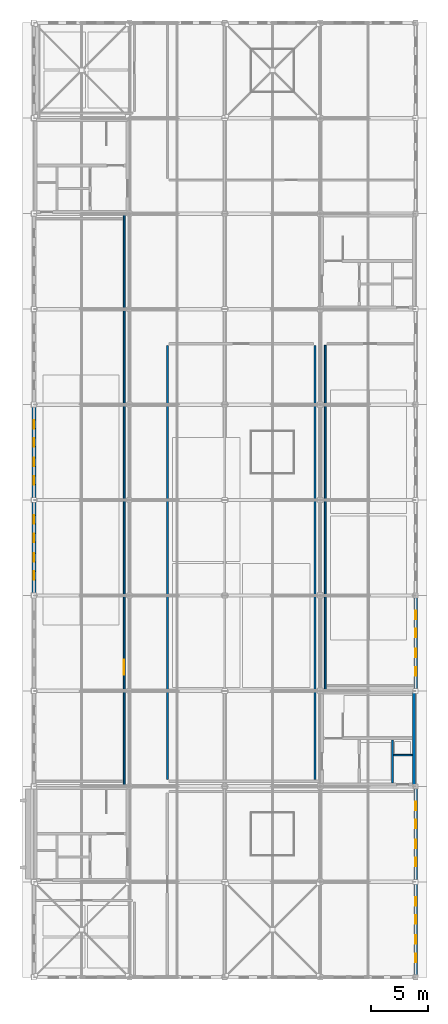
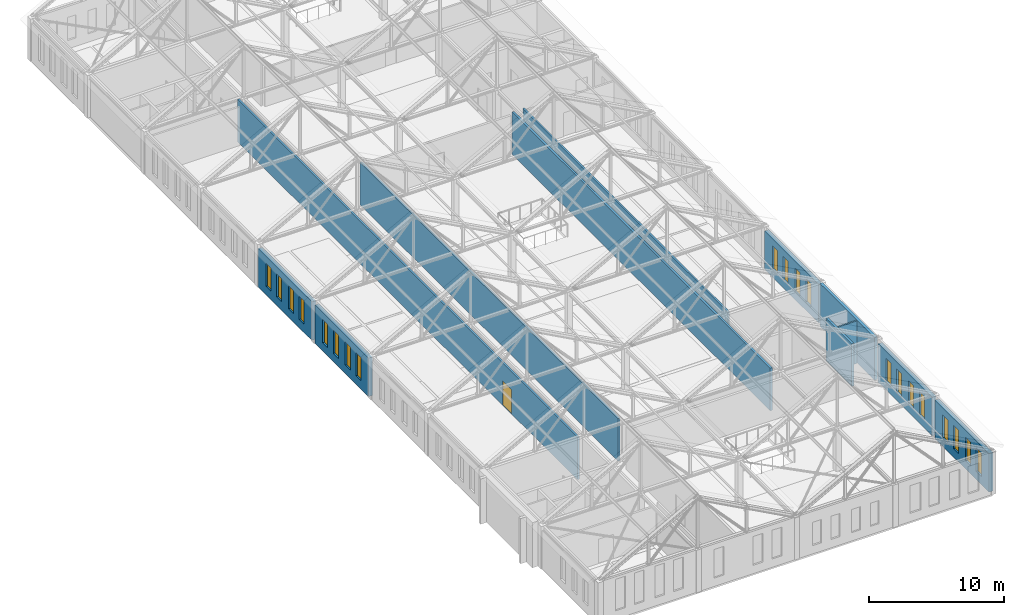
# One storey, part 32 of 36: 20 windows, 12 walls, 1 door, 21 openings.
"""IFC4 building model written with IfcOpenShell, lengths in metres."""

import ifcopenshell
import ifcopenshell.guid

model = None  # the IFC model being written
_history = None  # IfcOwnerHistory: only IFC2X3 demands one
_inside = {}  # id of a spatial element -> (the spatial element, [elements in it])
_under = {}  # id of a project, library or spatial element -> (it, [spatial elements below it])
_declared = {}  # id of a project -> (the project, [libraries it declares])
_typed = {}  # id of a type object -> (the type object, [elements of that type])
_made_of = {}  # id of a material, layer set ... -> (it, [elements and type objects made of it])


def new_model(schema):
    """Start an empty IFC model of exactly this schema.

    Asked for "IFC4X3", IfcOpenShell would pick the latest addendum, in which some entities
    have other attributes; the version numbers below select the first issue.
    IFC2X3 requires an IfcOwnerHistory on every rooted entity: one is made here for all.
    """
    global model, _history
    if schema == "IFC4X3":
        model = ifcopenshell.file(schema_version=(4, 3, 0, 0))
    else:
        model = ifcopenshell.file(schema=schema)
    _inside.clear()
    _under.clear()
    _declared.clear()
    _typed.clear()
    _made_of.clear()
    _history = None
    if model.schema == "IFC2X3":
        org = make("IfcOrganization", Name="unknown")
        user = make(
            "IfcPersonAndOrganization",
            ThePerson=make("IfcPerson", FamilyName="unknown"),
            TheOrganization=org,
        )
        app = make(
            "IfcApplication",
            ApplicationDeveloper=org,
            Version="unknown",
            ApplicationFullName="unknown",
            ApplicationIdentifier="unknown",
        )
        _history = make(
            "IfcOwnerHistory",
            OwningUser=user,
            OwningApplication=app,
            ChangeAction="ADDED",
            CreationDate=0,
        )
    return model


def make(cls, **values):
    """One entity of the class cls with the attributes given. An attribute that is None is left unset."""
    return model.create_entity(
        cls, **{name: value for name, value in values.items() if value is not None}
    )


def rooted(cls, **values):
    """An entity with a GlobalId (a new one), such as an element, a storey or a relation."""
    return make(cls, GlobalId=ifcopenshell.guid.new(), OwnerHistory=_history, **values)


def si_unit(unit_type, name, prefix=None):
    """IfcSIUnit, for example si_unit("LENGTHUNIT", "METRE", prefix="MILLI")."""
    return make("IfcSIUnit", UnitType=unit_type, Prefix=prefix, Name=name)


def assignment(units):
    """IfcUnitAssignment: the units of a project."""
    return None if units is None else make("IfcUnitAssignment", Units=units)


def point(xyz):
    """IfcCartesianPoint."""
    return None if xyz is None else make("IfcCartesianPoint", Coordinates=xyz)


def direction(xyz):
    """IfcDirection."""
    return None if xyz is None else make("IfcDirection", DirectionRatios=xyz)


def frame(location, z_axis=None, x_axis=None):
    """IfcAxis2Placement3D, a coordinate frame: its origin and axes. An axis left out is left unset."""
    return make(
        "IfcAxis2Placement3D",
        Location=point(location),
        Axis=direction(z_axis),
        RefDirection=direction(x_axis),
    )


def frame_2d(location, x_axis=None):
    """IfcAxis2Placement2D, a coordinate frame in the plane: its origin and x axis."""
    return make(
        "IfcAxis2Placement2D", Location=point(location), RefDirection=direction(x_axis)
    )


def origin():
    """The frame at (0, 0, 0) with its axes left unset."""
    return frame((0.0, 0.0, 0.0))


def place(relative_to, where):
    """IfcLocalPlacement: puts the frame where relative to a parent placement (None: the world)."""
    return make(
        "IfcLocalPlacement", PlacementRelTo=relative_to, RelativePlacement=where
    )


def context(
    kind, dimensions, precision=None, world=None, true_north=None, identifier=None
):
    """IfcGeometricRepresentationContext, for example the 3D "Model" context."""
    return make(
        "IfcGeometricRepresentationContext",
        ContextIdentifier=identifier,
        ContextType=kind,
        CoordinateSpaceDimension=dimensions,
        Precision=precision,
        WorldCoordinateSystem=world,
        TrueNorth=true_north,
    )


def subcontext(parent, identifier, kind, view, scale=None):
    """IfcGeometricRepresentationSubContext, for example "Body" below "Model"."""
    return make(
        "IfcGeometricRepresentationSubContext",
        ContextIdentifier=identifier,
        ContextType=kind,
        ParentContext=parent,
        TargetScale=scale,
        TargetView=view,
    )


def project(units=None, contexts=None):
    """IfcProject with its units and contexts."""
    return rooted(
        "IfcProject",
        Name="project",
        RepresentationContexts=contexts,
        UnitsInContext=assignment(units),
    )


def spatial(cls, under=None, at=None, **own):
    """A site, building, storey or space (cls), placed at a placement, below another one or the project."""
    s = rooted(cls, ObjectPlacement=at, **own)
    if under is not None:
        _under.setdefault(under.id(), (under, []))[1].append(s)
    return s


def profile(cls, at=None, kind="AREA", **sizes):
    """A parametric profile (cls). Its sizes go by their IFC names, for example OverallWidth=200.0."""
    return make(cls, ProfileType=kind, Position=at, **sizes)


def rectangle(**sizes):
    """IfcRectangleProfileDef."""
    return profile("IfcRectangleProfileDef", **sizes)


def extrude(swept, where, along, depth):
    """IfcExtrudedAreaSolid: the profile swept, set in the frame where, extruded along a direction by depth."""
    return make(
        "IfcExtrudedAreaSolid",
        SweptArea=swept,
        Position=where,
        ExtrudedDirection=direction(along),
        Depth=depth,
    )


def shape(context_of_items, identifier, shape_type, items):
    """IfcShapeRepresentation: the items that make up one representation, for example the "Body"."""
    return make(
        "IfcShapeRepresentation",
        ContextOfItems=context_of_items,
        RepresentationIdentifier=identifier,
        RepresentationType=shape_type,
        Items=items,
    )


def material(Name=None, Category=None):
    """IfcMaterial."""
    return make("IfcMaterial", Name=Name, Category=Category)


def layer(
    of_material, thickness, ventilated=None, Name=None, Category=None, Priority=None
):
    """IfcMaterialLayer: one layer of a wall or slab, of a material (None: an air gap)."""
    return make(
        "IfcMaterialLayer",
        Material=of_material,
        LayerThickness=thickness,
        IsVentilated=ventilated,
        Name=Name,
        Category=Category,
        Priority=Priority,
    )


def layer_set(layers, Name=None):
    """IfcMaterialLayerSet."""
    return make("IfcMaterialLayerSet", MaterialLayers=layers, LayerSetName=Name)


def made_of(thing, what):
    """Note that an element or type object is made of a material, layer set ...; save() writes the relation."""
    if what is not None:
        _made_of.setdefault(what.id(), (what, []))[1].append(thing)
    return thing


def type_object(cls, material=None, **own):
    """A type object (cls), such as IfcWallType, which elements share."""
    return made_of(rooted(cls, **own), material)


def element(
    cls,
    number,
    at=None,
    inside=None,
    cuts=None,
    type_object=None,
    material=None,
    context=None,
    identifier="Body",
    shape_type=None,
    held_by="IfcProductDefinitionShape",
    body=None,
    shapes=None,
    **own,
):
    """One element of the class cls, such as IfcWall. Its Tag is "e" and its number.

    at: its placement. inside: the storey or other place that contains it. cuts: it is an
    opening in that element (IfcRelVoidsElement). A single representation is given by context,
    identifier, shape_type and body (its items); several are given by shapes. held_by: the class
    of the entity that holds the representations. save() writes the other relations.
    """
    e = rooted(cls, Tag="e%d" % number, ObjectPlacement=at, **own)
    if body is not None:
        shapes = [shape(context, identifier, shape_type, body)]
    if shapes is not None:
        e.Representation = make(held_by, Representations=shapes)
    if inside is not None:
        _inside.setdefault(inside.id(), (inside, []))[1].append(e)
    if cuts is not None:
        rooted(
            "IfcRelVoidsElement", RelatingBuildingElement=cuts, RelatedOpeningElement=e
        )
    if type_object is not None:
        _typed.setdefault(type_object.id(), (type_object, []))[1].append(e)
    return made_of(e, material)


def fill(opening, filler):
    """IfcRelFillsElement: the door or window that sits in an opening."""
    return rooted(
        "IfcRelFillsElement",
        RelatingOpeningElement=opening,
        RelatedBuildingElement=filler,
    )


def aggregate(whole, parts):
    """IfcRelAggregates: a whole, such as a stair, and the parts it consists of."""
    return rooted("IfcRelAggregates", RelatingObject=whole, RelatedObjects=parts)


def save(model, path):
    """Write the relations noted so far, then the file.

    IfcRelAggregates (storeys below a building ...), IfcRelContainedInSpatialStructure (elements
    in a storey), IfcRelDefinesByType, IfcRelAssociatesMaterial and IfcRelDeclares: one each for
    every whole, place, type object, material and project.
    """
    for whole, parts in _under.values():
        aggregate(whole, parts)
    for where, things in _inside.values():
        rooted(
            "IfcRelContainedInSpatialStructure",
            RelatedElements=things,
            RelatingStructure=where,
        )
    for kind, things in _typed.values():
        rooted("IfcRelDefinesByType", RelatedObjects=things, RelatingType=kind)
    for what, things in _made_of.values():
        rooted("IfcRelAssociatesMaterial", RelatedObjects=things, RelatingMaterial=what)
    for by, libraries in _declared.values():
        rooted("IfcRelDeclares", RelatingContext=by, RelatedDefinitions=libraries)
    model.write(path)


model = new_model("IFC4")

# Units and contexts
model_context = context("Model", 3, precision=1e-05, world=origin(), true_north=direction((0.0, 1.0)))
body_context = subcontext(model_context, "Body", "Model", "MODEL_VIEW")
ifc_project = project(units=[si_unit("LENGTHUNIT", "METRE"), si_unit("AREAUNIT", "SQUARE_METRE"), si_unit("VOLUMEUNIT", "CUBIC_METRE"), si_unit("PLANEANGLEUNIT", "RADIAN"), si_unit("MASSUNIT", "GRAM", prefix="KILO")], contexts=[model_context])

# Site, building, storey
site_placement = place(None, origin())
site = spatial("IfcSite", under=ifc_project, at=site_placement, CompositionType="ELEMENT")
building_placement = place(site_placement, origin())
building = spatial("IfcBuilding", under=site, at=building_placement, Name="Kveldsbrygga Polytechnic", CompositionType="ELEMENT")
storey_placement = place(building_placement, frame((0.0, 0.0, 26.179931640625)))
storey = spatial("IfcBuildingStorey", under=building, at=storey_placement, Name="L06", CompositionType="ELEMENT", Elevation=26.179931640625)

# Wall, openings, windows
ifc_material_1 = material(Name="Fired clay brick masonry M10", Category="masonry")
ifc_layer_1 = layer(ifc_material_1, 0.340087890625)
ifc_layer_set_1 = layer_set([ifc_layer_1], Name="Fired clay brick masonry M10")
wall_type_1 = type_object("IfcWallType", Name="EW-BRICK-340", PredefinedType="SOLIDWALL", material=ifc_layer_set_1)
wall_1_placement = place(storey_placement, frame((126.0, 50.625, 0.0), z_axis=(0.0, 0.0, 1.0), x_axis=(0.0, 1.0, 0.0)))
wall_1 = element("IfcWall", 1, at=wall_1_placement, inside=storey, type_object=wall_type_1, Name="Exterior Brick Wall EW-L06-Y-15-06", PredefinedType="SOLIDWALL", context=body_context, shape_type="SweptSolid", body=[
    extrude(rectangle(XDim=7.949951171875, YDim=0.340087890625, at=frame_2d((3.97509765625, 0.0))), origin(), (0.0, 0.0, 1.0), 3.47998046875),
])
opening_1_placement = place(wall_1_placement, frame((1.135498046875, 0.0, 0.75)))
opening_1 = element("IfcOpeningElement", 2, at=opening_1_placement, cuts=wall_1, Name="Opening W-27", PredefinedType="OPENING", context=body_context, shape_type="SweptSolid", body=[
    extrude(rectangle(XDim=0.75, YDim=2.10009765625, at=frame_2d((0.375, 1.050048828125))), frame((0.0, 0.18017578125, 0.0), z_axis=(0.0, -1.0, 0.0), x_axis=(1.0, 0.0, 0.0)), (0.0, 0.0, 1.0), 0.360107421875),
])
opening_2_placement = place(wall_1_placement, frame((2.7255859375, 0.0, 0.75)))
opening_2 = element("IfcOpeningElement", 3, at=opening_2_placement, cuts=wall_1, Name="Opening W-27", PredefinedType="OPENING", context=body_context, shape_type="SweptSolid", body=[
    extrude(rectangle(XDim=0.75, YDim=2.10009765625, at=frame_2d((0.375, 1.050048828125))), frame((0.0, 0.18017578125, 0.0), z_axis=(0.0, -1.0, 0.0), x_axis=(1.0, 0.0, 0.0)), (0.0, 0.0, 1.0), 0.360107421875),
])
opening_3_placement = place(wall_1_placement, frame((4.474609375, 0.0, 0.75)))
opening_3 = element("IfcOpeningElement", 4, at=opening_3_placement, cuts=wall_1, Name="Opening W-27", PredefinedType="OPENING", context=body_context, shape_type="SweptSolid", body=[
    extrude(rectangle(XDim=0.75, YDim=2.10009765625, at=frame_2d((0.375, 1.050048828125))), frame((0.0, 0.18017578125, 0.0), z_axis=(0.0, -1.0, 0.0), x_axis=(1.0, 0.0, 0.0)), (0.0, 0.0, 1.0), 0.360107421875),
])
opening_4_placement = place(wall_1_placement, frame((6.064453125, 0.0, 0.75)))
opening_4 = element("IfcOpeningElement", 5, at=opening_4_placement, cuts=wall_1, Name="Opening W-27", PredefinedType="OPENING", context=body_context, shape_type="SweptSolid", body=[
    extrude(rectangle(XDim=0.75, YDim=2.10009765625, at=frame_2d((0.375, 1.050048828125))), frame((0.0, 0.18017578125, 0.0), z_axis=(0.0, -1.0, 0.0), x_axis=(1.0, 0.0, 0.0)), (0.0, 0.0, 1.0), 0.360107421875),
])
ifc_material_2 = material(Name="Insulated triple low-E glass", Category="glass")
window_type = type_object("IfcWindowType", Name="WN-ATTIC-075x210", PartitioningType="DOUBLE_PANEL_VERTICAL", PredefinedType="WINDOW", material=ifc_material_2)
window_1_placement = place(opening_1_placement, origin())
window_1 = element("IfcWindow", 6, at=window_1_placement, inside=storey, type_object=window_type, Name="Gothic Lancet Window WIN-L06-Y-15-06-1", OverallHeight=2.10009765625, OverallWidth=0.75, PartitioningType="DOUBLE_PANEL_VERTICAL", PredefinedType="WINDOW", context=body_context, shape_type="SweptSolid", body=[
    extrude(rectangle(XDim=0.75, YDim=2.10009765625, at=frame_2d((0.375, 1.050048828125))), frame((0.0, 0.030029296875, 0.0), z_axis=(0.0, -1.0, 0.0), x_axis=(1.0, 0.0, 0.0)), (0.0, 0.0, 1.0), 0.06005859375),
])
fill(opening_1, window_1)
window_2_placement = place(opening_2_placement, origin())
window_2 = element("IfcWindow", 7, at=window_2_placement, inside=storey, type_object=window_type, Name="Gothic Lancet Window WIN-L06-Y-15-06-2", OverallHeight=2.10009765625, OverallWidth=0.75, PartitioningType="DOUBLE_PANEL_VERTICAL", PredefinedType="WINDOW", context=body_context, shape_type="SweptSolid", body=[
    extrude(rectangle(XDim=0.75, YDim=2.10009765625, at=frame_2d((0.375, 1.050048828125))), frame((0.0, 0.030029296875, 0.0), z_axis=(0.0, -1.0, 0.0), x_axis=(1.0, 0.0, 0.0)), (0.0, 0.0, 1.0), 0.06005859375),
])
fill(opening_2, window_2)
window_3_placement = place(opening_3_placement, origin())
window_3 = element("IfcWindow", 8, at=window_3_placement, inside=storey, type_object=window_type, Name="Gothic Lancet Window WIN-L06-Y-15-06-3", OverallHeight=2.10009765625, OverallWidth=0.75, PartitioningType="DOUBLE_PANEL_VERTICAL", PredefinedType="WINDOW", context=body_context, shape_type="SweptSolid", body=[
    extrude(rectangle(XDim=0.75, YDim=2.10009765625, at=frame_2d((0.375, 1.050048828125))), frame((0.0, 0.030029296875, 0.0), z_axis=(0.0, -1.0, 0.0), x_axis=(1.0, 0.0, 0.0)), (0.0, 0.0, 1.0), 0.06005859375),
])
fill(opening_3, window_3)
window_4_placement = place(opening_4_placement, origin())
window_4 = element("IfcWindow", 9, at=window_4_placement, inside=storey, type_object=window_type, Name="Gothic Lancet Window WIN-L06-Y-15-06-4", OverallHeight=2.10009765625, OverallWidth=0.75, PartitioningType="DOUBLE_PANEL_VERTICAL", PredefinedType="WINDOW", context=body_context, shape_type="SweptSolid", body=[
    extrude(rectangle(XDim=0.75, YDim=2.10009765625, at=frame_2d((0.375, 1.050048828125))), frame((0.0, 0.030029296875, 0.0), z_axis=(0.0, -1.0, 0.0), x_axis=(1.0, 0.0, 0.0)), (0.0, 0.0, 1.0), 0.06005859375),
])
fill(opening_4, window_4)

wall_2_placement = place(storey_placement, frame((126.0, 59.02490234375, 0.0), z_axis=(0.0, 0.0, 1.0), x_axis=(0.0, 1.0, 0.0)))
wall_2 = element("IfcWall", 10, at=wall_2_placement, inside=storey, type_object=wall_type_1, Name="Exterior Brick Wall EW-L06-Y-15-07", PredefinedType="SOLIDWALL", context=body_context, shape_type="SweptSolid", body=[
    extrude(rectangle(XDim=7.9501953125, YDim=0.340087890625, at=frame_2d((3.97509765625, 0.0))), origin(), (0.0, 0.0, 1.0), 3.47998046875),
])
opening_5_placement = place(wall_2_placement, frame((1.135498046875, 0.0, 0.75)))
opening_5 = element("IfcOpeningElement", 11, at=opening_5_placement, cuts=wall_2, Name="Opening W-27", PredefinedType="OPENING", context=body_context, shape_type="SweptSolid", body=[
    extrude(rectangle(XDim=0.75, YDim=2.10009765625, at=frame_2d((0.375, 1.050048828125))), frame((0.0, 0.18017578125, 0.0), z_axis=(0.0, -1.0, 0.0), x_axis=(1.0, 0.0, 0.0)), (0.0, 0.0, 1.0), 0.360107421875),
])
opening_6_placement = place(wall_2_placement, frame((2.7255859375, 0.0, 0.75)))
opening_6 = element("IfcOpeningElement", 12, at=opening_6_placement, cuts=wall_2, Name="Opening W-27", PredefinedType="OPENING", context=body_context, shape_type="SweptSolid", body=[
    extrude(rectangle(XDim=0.75, YDim=2.10009765625, at=frame_2d((0.375, 1.050048828125))), frame((0.0, 0.18017578125, 0.0), z_axis=(0.0, -1.0, 0.0), x_axis=(1.0, 0.0, 0.0)), (0.0, 0.0, 1.0), 0.360107421875),
])
opening_7_placement = place(wall_2_placement, frame((4.474609375, 0.0, 0.75)))
opening_7 = element("IfcOpeningElement", 13, at=opening_7_placement, cuts=wall_2, Name="Opening W-27", PredefinedType="OPENING", context=body_context, shape_type="SweptSolid", body=[
    extrude(rectangle(XDim=0.75, YDim=2.10009765625, at=frame_2d((0.375, 1.050048828125))), frame((0.0, 0.18017578125, 0.0), z_axis=(0.0, -1.0, 0.0), x_axis=(1.0, 0.0, 0.0)), (0.0, 0.0, 1.0), 0.360107421875),
])
opening_8_placement = place(wall_2_placement, frame((6.064453125, 0.0, 0.75)))
opening_8 = element("IfcOpeningElement", 14, at=opening_8_placement, cuts=wall_2, Name="Opening W-27", PredefinedType="OPENING", context=body_context, shape_type="SweptSolid", body=[
    extrude(rectangle(XDim=0.75, YDim=2.10009765625, at=frame_2d((0.375, 1.050048828125))), frame((0.0, 0.18017578125, 0.0), z_axis=(0.0, -1.0, 0.0), x_axis=(1.0, 0.0, 0.0)), (0.0, 0.0, 1.0), 0.360107421875),
])
window_5_placement = place(opening_5_placement, origin())
window_5 = element("IfcWindow", 15, at=window_5_placement, inside=storey, type_object=window_type, Name="Gothic Lancet Window WIN-L06-Y-15-07-1", OverallHeight=2.10009765625, OverallWidth=0.75, PartitioningType="DOUBLE_PANEL_VERTICAL", PredefinedType="WINDOW", context=body_context, shape_type="SweptSolid", body=[
    extrude(rectangle(XDim=0.75, YDim=2.10009765625, at=frame_2d((0.375, 1.050048828125))), frame((0.0, 0.030029296875, 0.0), z_axis=(0.0, -1.0, 0.0), x_axis=(1.0, 0.0, 0.0)), (0.0, 0.0, 1.0), 0.06005859375),
])
fill(opening_5, window_5)
window_6_placement = place(opening_6_placement, origin())
window_6 = element("IfcWindow", 16, at=window_6_placement, inside=storey, type_object=window_type, Name="Gothic Lancet Window WIN-L06-Y-15-07-2", OverallHeight=2.10009765625, OverallWidth=0.75, PartitioningType="DOUBLE_PANEL_VERTICAL", PredefinedType="WINDOW", context=body_context, shape_type="SweptSolid", body=[
    extrude(rectangle(XDim=0.75, YDim=2.10009765625, at=frame_2d((0.375, 1.050048828125))), frame((0.0, 0.030029296875, 0.0), z_axis=(0.0, -1.0, 0.0), x_axis=(1.0, 0.0, 0.0)), (0.0, 0.0, 1.0), 0.06005859375),
])
fill(opening_6, window_6)
window_7_placement = place(opening_7_placement, origin())
window_7 = element("IfcWindow", 17, at=window_7_placement, inside=storey, type_object=window_type, Name="Gothic Lancet Window WIN-L06-Y-15-07-3", OverallHeight=2.10009765625, OverallWidth=0.75, PartitioningType="DOUBLE_PANEL_VERTICAL", PredefinedType="WINDOW", context=body_context, shape_type="SweptSolid", body=[
    extrude(rectangle(XDim=0.75, YDim=2.10009765625, at=frame_2d((0.375, 1.050048828125))), frame((0.0, 0.030029296875, 0.0), z_axis=(0.0, -1.0, 0.0), x_axis=(1.0, 0.0, 0.0)), (0.0, 0.0, 1.0), 0.06005859375),
])
fill(opening_7, window_7)
window_8_placement = place(opening_8_placement, origin())
window_8 = element("IfcWindow", 18, at=window_8_placement, inside=storey, type_object=window_type, Name="Gothic Lancet Window WIN-L06-Y-15-07-4", OverallHeight=2.10009765625, OverallWidth=0.75, PartitioningType="DOUBLE_PANEL_VERTICAL", PredefinedType="WINDOW", context=body_context, shape_type="SweptSolid", body=[
    extrude(rectangle(XDim=0.75, YDim=2.10009765625, at=frame_2d((0.375, 1.050048828125))), frame((0.0, 0.030029296875, 0.0), z_axis=(0.0, -1.0, 0.0), x_axis=(1.0, 0.0, 0.0)), (0.0, 0.0, 1.0), 0.06005859375),
])
fill(opening_8, window_8)

wall_3_placement = place(storey_placement, frame((159.60009765625, 16.9951171875, 0.0), z_axis=(0.0, 0.0, 1.0), x_axis=(0.0, 1.0, 0.0)))
wall_3 = element("IfcWall", 19, at=wall_3_placement, inside=storey, type_object=wall_type_1, Name="Exterior Brick Wall EW-L06-Y-19-02", PredefinedType="SOLIDWALL", context=body_context, shape_type="SweptSolid", body=[
    extrude(rectangle(XDim=7.994873046875, YDim=0.340087890625, at=frame_2d((3.99755859375, 0.0))), origin(), (0.0, 0.0, 1.0), 3.47998046875),
])
opening_9_placement = place(wall_3_placement, frame((1.14404296875, 0.0, 0.75)))
opening_9 = element("IfcOpeningElement", 20, at=opening_9_placement, cuts=wall_3, Name="Opening W-27", PredefinedType="OPENING", context=body_context, shape_type="SweptSolid", body=[
    extrude(rectangle(XDim=0.75, YDim=2.10009765625, at=frame_2d((0.375, 1.050048828125))), frame((0.0, 0.18017578125, 0.0), z_axis=(0.0, -1.0, 0.0), x_axis=(1.0, 0.0, 0.0)), (0.0, 0.0, 1.0), 0.360107421875),
])
opening_10_placement = place(wall_3_placement, frame((2.7431640625, 0.0, 0.75)))
opening_10 = element("IfcOpeningElement", 21, at=opening_10_placement, cuts=wall_3, Name="Opening W-27", PredefinedType="OPENING", context=body_context, shape_type="SweptSolid", body=[
    extrude(rectangle(XDim=0.75, YDim=2.10009765625, at=frame_2d((0.375, 1.050048828125))), frame((0.0, 0.18017578125, 0.0), z_axis=(0.0, -1.0, 0.0), x_axis=(1.0, 0.0, 0.0)), (0.0, 0.0, 1.0), 0.360107421875),
])
opening_11_placement = place(wall_3_placement, frame((4.501953125, 0.0, 0.75)))
opening_11 = element("IfcOpeningElement", 22, at=opening_11_placement, cuts=wall_3, Name="Opening W-27", PredefinedType="OPENING", context=body_context, shape_type="SweptSolid", body=[
    extrude(rectangle(XDim=0.75, YDim=2.10009765625, at=frame_2d((0.375, 1.050048828125))), frame((0.0, 0.18017578125, 0.0), z_axis=(0.0, -1.0, 0.0), x_axis=(1.0, 0.0, 0.0)), (0.0, 0.0, 1.0), 0.360107421875),
])
opening_12_placement = place(wall_3_placement, frame((6.100830078125, 0.0, 0.75)))
opening_12 = element("IfcOpeningElement", 23, at=opening_12_placement, cuts=wall_3, Name="Opening W-27", PredefinedType="OPENING", context=body_context, shape_type="SweptSolid", body=[
    extrude(rectangle(XDim=0.75, YDim=2.10009765625, at=frame_2d((0.375, 1.050048828125))), frame((0.0, 0.18017578125, 0.0), z_axis=(0.0, -1.0, 0.0), x_axis=(1.0, 0.0, 0.0)), (0.0, 0.0, 1.0), 0.360107421875),
])
window_9_placement = place(opening_9_placement, origin())
window_9 = element("IfcWindow", 24, at=window_9_placement, inside=storey, type_object=window_type, Name="Gothic Lancet Window WIN-L06-Y-19-02-1", OverallHeight=2.10009765625, OverallWidth=0.75, PartitioningType="DOUBLE_PANEL_VERTICAL", PredefinedType="WINDOW", context=body_context, shape_type="SweptSolid", body=[
    extrude(rectangle(XDim=0.75, YDim=2.10009765625, at=frame_2d((0.375, 1.050048828125))), frame((0.0, 0.030029296875, 0.0), z_axis=(0.0, -1.0, 0.0), x_axis=(1.0, 0.0, 0.0)), (0.0, 0.0, 1.0), 0.06005859375),
])
fill(opening_9, window_9)
window_10_placement = place(opening_10_placement, origin())
window_10 = element("IfcWindow", 25, at=window_10_placement, inside=storey, type_object=window_type, Name="Gothic Lancet Window WIN-L06-Y-19-02-2", OverallHeight=2.10009765625, OverallWidth=0.75, PartitioningType="DOUBLE_PANEL_VERTICAL", PredefinedType="WINDOW", context=body_context, shape_type="SweptSolid", body=[
    extrude(rectangle(XDim=0.75, YDim=2.10009765625, at=frame_2d((0.375, 1.050048828125))), frame((0.0, 0.030029296875, 0.0), z_axis=(0.0, -1.0, 0.0), x_axis=(1.0, 0.0, 0.0)), (0.0, 0.0, 1.0), 0.06005859375),
])
fill(opening_10, window_10)
window_11_placement = place(opening_11_placement, origin())
window_11 = element("IfcWindow", 26, at=window_11_placement, inside=storey, type_object=window_type, Name="Gothic Lancet Window WIN-L06-Y-19-02-3", OverallHeight=2.10009765625, OverallWidth=0.75, PartitioningType="DOUBLE_PANEL_VERTICAL", PredefinedType="WINDOW", context=body_context, shape_type="SweptSolid", body=[
    extrude(rectangle(XDim=0.75, YDim=2.10009765625, at=frame_2d((0.375, 1.050048828125))), frame((0.0, 0.030029296875, 0.0), z_axis=(0.0, -1.0, 0.0), x_axis=(1.0, 0.0, 0.0)), (0.0, 0.0, 1.0), 0.06005859375),
])
fill(opening_11, window_11)
window_12_placement = place(opening_12_placement, origin())
window_12 = element("IfcWindow", 27, at=window_12_placement, inside=storey, type_object=window_type, Name="Gothic Lancet Window WIN-L06-Y-19-02-4", OverallHeight=2.10009765625, OverallWidth=0.75, PartitioningType="DOUBLE_PANEL_VERTICAL", PredefinedType="WINDOW", context=body_context, shape_type="SweptSolid", body=[
    extrude(rectangle(XDim=0.75, YDim=2.10009765625, at=frame_2d((0.375, 1.050048828125))), frame((0.0, 0.030029296875, 0.0), z_axis=(0.0, -1.0, 0.0), x_axis=(1.0, 0.0, 0.0)), (0.0, 0.0, 1.0), 0.06005859375),
])
fill(opening_12, window_12)

wall_4_placement = place(storey_placement, frame((159.60009765625, 25.409912109375, 0.0), z_axis=(0.0, 0.0, 1.0), x_axis=(0.0, 1.0, 0.0)))
wall_4 = element("IfcWall", 28, at=wall_4_placement, inside=storey, type_object=wall_type_1, Name="Exterior Brick Wall EW-L06-Y-19-03", PredefinedType="SOLIDWALL", context=body_context, shape_type="SweptSolid", body=[
    extrude(rectangle(XDim=7.9951171875, YDim=0.340087890625, at=frame_2d((3.99755859375, 0.0))), origin(), (0.0, 0.0, 1.0), 3.47998046875),
])
opening_13_placement = place(wall_4_placement, frame((1.14404296875, 0.0, 0.75)))
opening_13 = element("IfcOpeningElement", 29, at=opening_13_placement, cuts=wall_4, Name="Opening W-27", PredefinedType="OPENING", context=body_context, shape_type="SweptSolid", body=[
    extrude(rectangle(XDim=0.75, YDim=2.10009765625, at=frame_2d((0.375, 1.050048828125))), frame((0.0, 0.18017578125, 0.0), z_axis=(0.0, -1.0, 0.0), x_axis=(1.0, 0.0, 0.0)), (0.0, 0.0, 1.0), 0.360107421875),
])
opening_14_placement = place(wall_4_placement, frame((2.7431640625, 0.0, 0.75)))
opening_14 = element("IfcOpeningElement", 30, at=opening_14_placement, cuts=wall_4, Name="Opening W-27", PredefinedType="OPENING", context=body_context, shape_type="SweptSolid", body=[
    extrude(rectangle(XDim=0.75, YDim=2.10009765625, at=frame_2d((0.375, 1.050048828125))), frame((0.0, 0.18017578125, 0.0), z_axis=(0.0, -1.0, 0.0), x_axis=(1.0, 0.0, 0.0)), (0.0, 0.0, 1.0), 0.360107421875),
])
opening_15_placement = place(wall_4_placement, frame((4.501953125, 0.0, 0.75)))
opening_15 = element("IfcOpeningElement", 31, at=opening_15_placement, cuts=wall_4, Name="Opening W-27", PredefinedType="OPENING", context=body_context, shape_type="SweptSolid", body=[
    extrude(rectangle(XDim=0.75, YDim=2.10009765625, at=frame_2d((0.375, 1.050048828125))), frame((0.0, 0.18017578125, 0.0), z_axis=(0.0, -1.0, 0.0), x_axis=(1.0, 0.0, 0.0)), (0.0, 0.0, 1.0), 0.360107421875),
])
opening_16_placement = place(wall_4_placement, frame((6.100830078125, 0.0, 0.75)))
opening_16 = element("IfcOpeningElement", 32, at=opening_16_placement, cuts=wall_4, Name="Opening W-27", PredefinedType="OPENING", context=body_context, shape_type="SweptSolid", body=[
    extrude(rectangle(XDim=0.75, YDim=2.10009765625, at=frame_2d((0.375, 1.050048828125))), frame((0.0, 0.18017578125, 0.0), z_axis=(0.0, -1.0, 0.0), x_axis=(1.0, 0.0, 0.0)), (0.0, 0.0, 1.0), 0.360107421875),
])
window_13_placement = place(opening_13_placement, origin())
window_13 = element("IfcWindow", 33, at=window_13_placement, inside=storey, type_object=window_type, Name="Gothic Lancet Window WIN-L06-Y-19-03-1", OverallHeight=2.10009765625, OverallWidth=0.75, PartitioningType="DOUBLE_PANEL_VERTICAL", PredefinedType="WINDOW", context=body_context, shape_type="SweptSolid", body=[
    extrude(rectangle(XDim=0.75, YDim=2.10009765625, at=frame_2d((0.375, 1.050048828125))), frame((0.0, 0.030029296875, 0.0), z_axis=(0.0, -1.0, 0.0), x_axis=(1.0, 0.0, 0.0)), (0.0, 0.0, 1.0), 0.06005859375),
])
fill(opening_13, window_13)
window_14_placement = place(opening_14_placement, origin())
window_14 = element("IfcWindow", 34, at=window_14_placement, inside=storey, type_object=window_type, Name="Gothic Lancet Window WIN-L06-Y-19-03-2", OverallHeight=2.10009765625, OverallWidth=0.75, PartitioningType="DOUBLE_PANEL_VERTICAL", PredefinedType="WINDOW", context=body_context, shape_type="SweptSolid", body=[
    extrude(rectangle(XDim=0.75, YDim=2.10009765625, at=frame_2d((0.375, 1.050048828125))), frame((0.0, 0.030029296875, 0.0), z_axis=(0.0, -1.0, 0.0), x_axis=(1.0, 0.0, 0.0)), (0.0, 0.0, 1.0), 0.06005859375),
])
fill(opening_14, window_14)
window_15_placement = place(opening_15_placement, origin())
window_15 = element("IfcWindow", 35, at=window_15_placement, inside=storey, type_object=window_type, Name="Gothic Lancet Window WIN-L06-Y-19-03-3", OverallHeight=2.10009765625, OverallWidth=0.75, PartitioningType="DOUBLE_PANEL_VERTICAL", PredefinedType="WINDOW", context=body_context, shape_type="SweptSolid", body=[
    extrude(rectangle(XDim=0.75, YDim=2.10009765625, at=frame_2d((0.375, 1.050048828125))), frame((0.0, 0.030029296875, 0.0), z_axis=(0.0, -1.0, 0.0), x_axis=(1.0, 0.0, 0.0)), (0.0, 0.0, 1.0), 0.06005859375),
])
fill(opening_15, window_15)
window_16_placement = place(opening_16_placement, origin())
window_16 = element("IfcWindow", 36, at=window_16_placement, inside=storey, type_object=window_type, Name="Gothic Lancet Window WIN-L06-Y-19-03-4", OverallHeight=2.10009765625, OverallWidth=0.75, PartitioningType="DOUBLE_PANEL_VERTICAL", PredefinedType="WINDOW", context=body_context, shape_type="SweptSolid", body=[
    extrude(rectangle(XDim=0.75, YDim=2.10009765625, at=frame_2d((0.375, 1.050048828125))), frame((0.0, 0.030029296875, 0.0), z_axis=(0.0, -1.0, 0.0), x_axis=(1.0, 0.0, 0.0)), (0.0, 0.0, 1.0), 0.06005859375),
])
fill(opening_16, window_16)

wall_5_placement = place(storey_placement, frame((159.60009765625, 42.2099609375, 0.0), z_axis=(0.0, 0.0, 1.0), x_axis=(0.0, 1.0, 0.0)))
wall_5 = element("IfcWall", 37, at=wall_5_placement, inside=storey, type_object=wall_type_1, Name="Exterior Brick Wall EW-L06-Y-19-05", PredefinedType="SOLIDWALL", context=body_context, shape_type="SweptSolid", body=[
    extrude(rectangle(XDim=7.9951171875, YDim=0.340087890625, at=frame_2d((3.99755859375, 0.0))), origin(), (0.0, 0.0, 1.0), 3.47998046875),
])
opening_17_placement = place(wall_5_placement, frame((1.14404296875, 0.0, 0.75)))
opening_17 = element("IfcOpeningElement", 38, at=opening_17_placement, cuts=wall_5, Name="Opening W-27", PredefinedType="OPENING", context=body_context, shape_type="SweptSolid", body=[
    extrude(rectangle(XDim=0.75, YDim=2.10009765625, at=frame_2d((0.375, 1.050048828125))), frame((0.0, 0.18017578125, 0.0), z_axis=(0.0, -1.0, 0.0), x_axis=(1.0, 0.0, 0.0)), (0.0, 0.0, 1.0), 0.360107421875),
])
opening_18_placement = place(wall_5_placement, frame((2.7431640625, 0.0, 0.75)))
opening_18 = element("IfcOpeningElement", 39, at=opening_18_placement, cuts=wall_5, Name="Opening W-27", PredefinedType="OPENING", context=body_context, shape_type="SweptSolid", body=[
    extrude(rectangle(XDim=0.75, YDim=2.10009765625, at=frame_2d((0.375, 1.050048828125))), frame((0.0, 0.18017578125, 0.0), z_axis=(0.0, -1.0, 0.0), x_axis=(1.0, 0.0, 0.0)), (0.0, 0.0, 1.0), 0.360107421875),
])
opening_19_placement = place(wall_5_placement, frame((4.501953125, 0.0, 0.75)))
opening_19 = element("IfcOpeningElement", 40, at=opening_19_placement, cuts=wall_5, Name="Opening W-27", PredefinedType="OPENING", context=body_context, shape_type="SweptSolid", body=[
    extrude(rectangle(XDim=0.75, YDim=2.10009765625, at=frame_2d((0.375, 1.050048828125))), frame((0.0, 0.18017578125, 0.0), z_axis=(0.0, -1.0, 0.0), x_axis=(1.0, 0.0, 0.0)), (0.0, 0.0, 1.0), 0.360107421875),
])
opening_20_placement = place(wall_5_placement, frame((6.100830078125, 0.0, 0.75)))
opening_20 = element("IfcOpeningElement", 41, at=opening_20_placement, cuts=wall_5, Name="Opening W-27", PredefinedType="OPENING", context=body_context, shape_type="SweptSolid", body=[
    extrude(rectangle(XDim=0.75, YDim=2.10009765625, at=frame_2d((0.375, 1.050048828125))), frame((0.0, 0.18017578125, 0.0), z_axis=(0.0, -1.0, 0.0), x_axis=(1.0, 0.0, 0.0)), (0.0, 0.0, 1.0), 0.360107421875),
])
window_17_placement = place(opening_17_placement, origin())
window_17 = element("IfcWindow", 42, at=window_17_placement, inside=storey, type_object=window_type, Name="Gothic Lancet Window WIN-L06-Y-19-05-1", OverallHeight=2.10009765625, OverallWidth=0.75, PartitioningType="DOUBLE_PANEL_VERTICAL", PredefinedType="WINDOW", context=body_context, shape_type="SweptSolid", body=[
    extrude(rectangle(XDim=0.75, YDim=2.10009765625, at=frame_2d((0.375, 1.050048828125))), frame((0.0, 0.030029296875, 0.0), z_axis=(0.0, -1.0, 0.0), x_axis=(1.0, 0.0, 0.0)), (0.0, 0.0, 1.0), 0.06005859375),
])
fill(opening_17, window_17)
window_18_placement = place(opening_18_placement, origin())
window_18 = element("IfcWindow", 43, at=window_18_placement, inside=storey, type_object=window_type, Name="Gothic Lancet Window WIN-L06-Y-19-05-2", OverallHeight=2.10009765625, OverallWidth=0.75, PartitioningType="DOUBLE_PANEL_VERTICAL", PredefinedType="WINDOW", context=body_context, shape_type="SweptSolid", body=[
    extrude(rectangle(XDim=0.75, YDim=2.10009765625, at=frame_2d((0.375, 1.050048828125))), frame((0.0, 0.030029296875, 0.0), z_axis=(0.0, -1.0, 0.0), x_axis=(1.0, 0.0, 0.0)), (0.0, 0.0, 1.0), 0.06005859375),
])
fill(opening_18, window_18)
window_19_placement = place(opening_19_placement, origin())
window_19 = element("IfcWindow", 44, at=window_19_placement, inside=storey, type_object=window_type, Name="Gothic Lancet Window WIN-L06-Y-19-05-3", OverallHeight=2.10009765625, OverallWidth=0.75, PartitioningType="DOUBLE_PANEL_VERTICAL", PredefinedType="WINDOW", context=body_context, shape_type="SweptSolid", body=[
    extrude(rectangle(XDim=0.75, YDim=2.10009765625, at=frame_2d((0.375, 1.050048828125))), frame((0.0, 0.030029296875, 0.0), z_axis=(0.0, -1.0, 0.0), x_axis=(1.0, 0.0, 0.0)), (0.0, 0.0, 1.0), 0.06005859375),
])
fill(opening_19, window_19)
window_20_placement = place(opening_20_placement, origin())
window_20 = element("IfcWindow", 45, at=window_20_placement, inside=storey, type_object=window_type, Name="Gothic Lancet Window WIN-L06-Y-19-05-4", OverallHeight=2.10009765625, OverallWidth=0.75, PartitioningType="DOUBLE_PANEL_VERTICAL", PredefinedType="WINDOW", context=body_context, shape_type="SweptSolid", body=[
    extrude(rectangle(XDim=0.75, YDim=2.10009765625, at=frame_2d((0.375, 1.050048828125))), frame((0.0, 0.030029296875, 0.0), z_axis=(0.0, -1.0, 0.0), x_axis=(1.0, 0.0, 0.0)), (0.0, 0.0, 1.0), 0.06005859375),
])
fill(opening_20, window_20)

# Walls
ifc_material_3 = material(Name="Gypsum acoustic stud partition")
ifc_layer_2 = layer(ifc_material_3, 0.179931640625)
ifc_layer_set_2 = layer_set([ifc_layer_2], Name="Gypsum acoustic stud partition")
wall_type_2 = type_object("IfcWallType", Name="IW-CORR-180", PredefinedType="PARTITIONING", material=ifc_layer_set_2)
for number, where, z_axis, x_axis, name in (
    (46, (137.75, 34.199951171875, 0.0), (0.0, 0.0, 1.0), (0.0, 1.0, 0.0), "Partition Wall IW-SP-L06-CRIT-W1"),
    (47, (150.75, 34.199951171875, 0.0), (0.0, 0.0, 1.0), (0.0, 1.0, 0.0), "Partition Wall IW-SP-L06-CRIT-E1"),
):
    element("IfcWall", number, at=place(storey_placement, frame(where, z_axis=z_axis, x_axis=x_axis)), inside=storey, type_object=wall_type_2, Name=name, PredefinedType="PARTITIONING", context=body_context, shape_type="SweptSolid", body=[
        extrude(rectangle(XDim=38.199951171875, YDim=0.179931640625, at=frame_2d((19.10009765625, 0.0))), origin(), (0.0, 0.0, 1.0), 3.840087890625),
    ])
ifc_material_4 = material(Name="Moisture-resistant masonry M10", Category="masonry")
ifc_layer_3 = layer(ifc_material_4, 0.1298828125)
ifc_layer_set_3 = layer_set([ifc_layer_3], Name="Moisture-resistant masonry M10")
wall_type_3 = type_object("IfcWallType", Name="IW-SAN-130", PredefinedType="PARTITIONING", material=ifc_layer_set_3)
wall_6_placement = place(storey_placement, frame((157.659912109375, 36.340087890625, 0.0), z_axis=(0.0, 0.0, 1.0), x_axis=(1.0, 0.0, 0.0)))
element("IfcWall", 48, at=wall_6_placement, inside=storey, type_object=wall_type_3, Name="Core AWC Divider C3-L06-W-RSR", PredefinedType="PARTITIONING", context=body_context, shape_type="SweptSolid", body=[
    extrude(rectangle(XDim=1.6201171875, YDim=0.1298828125, at=frame_2d((0.81005859375, 0.0))), origin(), (0.0, 0.0, 1.0), 3.840087890625),
])
ifc_layer_4 = layer(ifc_material_3, 0.14990234375)
ifc_layer_set_4 = layer_set([ifc_layer_4], Name="Gypsum acoustic stud partition")
wall_type_4 = type_object("IfcWallType", Name="IW-SEM-150", PredefinedType="PARTITIONING", material=ifc_layer_set_4)
wall_7_placement = place(storey_placement, frame((151.64990234375, 42.030029296875, 0.0), z_axis=(0.0, 0.0, 1.0), x_axis=(0.0, 1.0, 0.0)))
element("IfcWall", 49, at=wall_7_placement, inside=storey, type_object=wall_type_4, Name="Partition Wall IW-SP-L06-SEM61-W1", PredefinedType="PARTITIONING", context=body_context, shape_type="SweptSolid", body=[
    extrude(rectangle(XDim=30.369873046875, YDim=0.14990234375, at=frame_2d((15.18505859375, 0.0))), origin(), (0.0, 0.0, 1.0), 3.840087890625),
])

# Wall, opening, door
ifc_layer_5 = layer(ifc_material_3, 0.159912109375)
ifc_layer_set_5 = layer_set([ifc_layer_5], Name="Gypsum acoustic stud partition")
wall_type_5 = type_object("IfcWallType", Name="IW-STD-160", PredefinedType="PARTITIONING", material=ifc_layer_set_5)
wall_8_placement = place(storey_placement, frame((133.949951171875, 33.6298828125, 0.0), z_axis=(0.0, 0.0, 1.0), x_axis=(0.0, 1.0, 0.0)))
wall_8 = element("IfcWall", 50, at=wall_8_placement, inside=storey, type_object=wall_type_5, Name="Partition Wall IW-SP-L06-STD61-E1", PredefinedType="PARTITIONING", context=body_context, shape_type="SweptSolid", body=[
    extrude(rectangle(XDim=50.340087890625, YDim=0.159912109375, at=frame_2d((25.169921875, 0.0))), origin(), (0.0, 0.0, 1.0), 3.840087890625),
])
opening_21_placement = place(wall_8_placement, frame((9.80810546875, 0.0, 0.0)))
opening_21 = element("IfcOpeningElement", 51, at=opening_21_placement, cuts=wall_8, Name="Opening ID-L06-099", PredefinedType="OPENING", context=body_context, shape_type="SweptSolid", body=[
    extrude(rectangle(XDim=1.300048828125, YDim=2.199951171875, at=frame_2d((0.64990234375, 1.10009765625))), frame((0.0, 0.08984375, 0.0), z_axis=(0.0, -1.0, 0.0), x_axis=(1.0, 0.0, 0.0)), (0.0, 0.0, 1.0), 0.179931640625),
])
ifc_material_5 = material(Name="Acoustic oak timber", Category="wood")
door_type = type_object("IfcDoorType", Name="ID-STD-130x220", OperationType="NOTDEFINED", PredefinedType="DOOR", material=ifc_material_5)
door_placement = place(opening_21_placement, origin())
door = element("IfcDoor", 52, at=door_placement, inside=storey, type_object=door_type, Name="Interior Door ID-L06-099", OperationType="SINGLE_SWING_RIGHT", OverallHeight=2.199951171875, OverallWidth=1.300048828125, PredefinedType="DOOR", context=body_context, shape_type="SweptSolid", body=[
    extrude(rectangle(XDim=1.300048828125, YDim=2.199951171875, at=frame_2d((0.64990234375, 1.10009765625))), frame((0.0, 0.02490234375, 0.0), z_axis=(0.0, -1.0, 0.0), x_axis=(1.0, 0.0, 0.0)), (0.0, 0.0, 1.0), 0.050048828125),
])
fill(opening_21, door)

# Walls
ifc_material_6 = material(Name="Concrete C45/55", Category="concrete")
ifc_layer_6 = layer(ifc_material_6, 0.25)
ifc_layer_set_6 = layer_set([ifc_layer_6], Name="Concrete C45/55")
wall_type_6 = type_object("IfcWallType", Name="WL-CORE-250", PredefinedType="SHEAR", material=ifc_layer_set_6)
wall_9_placement = place(storey_placement, frame((159.449951171875, 33.75, 0.0), z_axis=(0.0, 0.0, 1.0), x_axis=(0.0, 1.0, 0.0)))
element("IfcWall", 53, at=wall_9_placement, inside=storey, type_object=wall_type_6, Name="Core C3 Shear Wall C3-L06-SW-E", PredefinedType="SHEAR", context=body_context, shape_type="SweptSolid", body=[
    extrude(rectangle(XDim=8.10009765625, YDim=0.25, at=frame_2d((4.050048828125, 0.0))), origin(), (0.0, 0.0, 1.0), 3.840087890625),
])
ifc_material_7 = material(Name="Concrete C35/45", Category="concrete")
ifc_layer_7 = layer(ifc_material_7, 0.199951171875)
ifc_layer_set_7 = layer_set([ifc_layer_7], Name="Concrete C35/45")
wall_type_7 = type_object("IfcWallType", Name="WL-SHFT-200", PredefinedType="SHEAR", material=ifc_layer_set_7)
wall_10_placement = place(storey_placement, frame((157.56005859375, 33.89990234375, 0.0), z_axis=(0.0, 0.0, 1.0), x_axis=(0.0, 1.0, 0.0)))
element("IfcWall", 54, at=wall_10_placement, inside=storey, type_object=wall_type_7, Name="Lift Back Wall C3-L06-W-LBK", PredefinedType="SHEAR", context=body_context, shape_type="SweptSolid", body=[
    extrude(rectangle(XDim=3.800048828125, YDim=0.199951171875, at=frame_2d((1.89990234375, 0.0))), origin(), (0.0, 0.0, 1.0), 3.840087890625),
])

save(model, "model.ifc")
